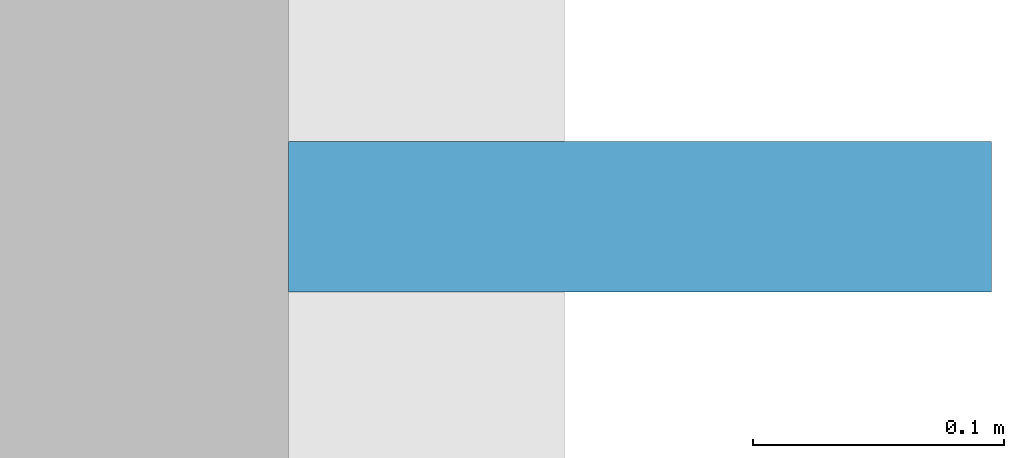
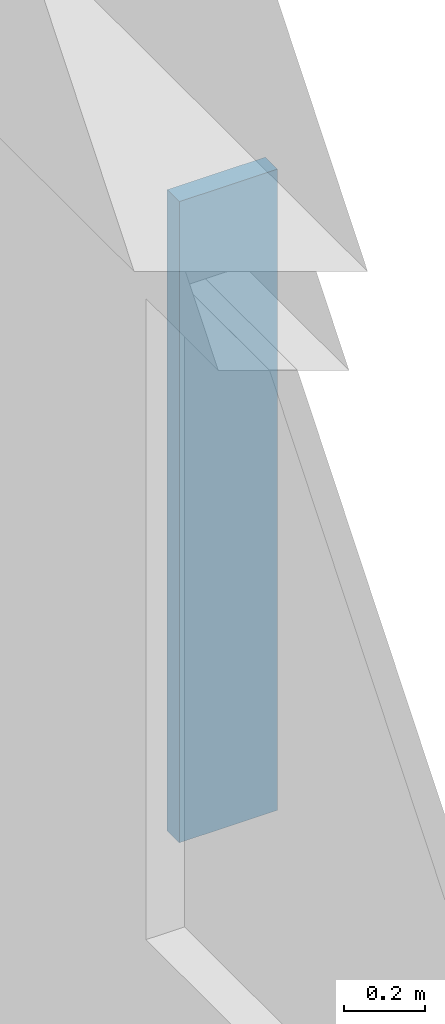
# One storey, part 6 of 11: 1 plate.
"""IFC4 building model written with IfcOpenShell, lengths in metres."""

from ifc_helpers import new_model, si_unit, direction, frame, origin, origin_2d, place, context, subcontext, project, spatial, rectangle, extrude, material, type_object, element, save


model = new_model("IFC4")

# Units and contexts
model_context = context("Model", 3, precision=1e-05, world=origin(), true_north=direction((0.0, 1.0)))
body_context = subcontext(model_context, "Body", "Model", "MODEL_VIEW")
ifc_project = project(units=[si_unit("LENGTHUNIT", "METRE"), si_unit("AREAUNIT", "SQUARE_METRE"), si_unit("VOLUMEUNIT", "CUBIC_METRE"), si_unit("PLANEANGLEUNIT", "RADIAN"), si_unit("MASSUNIT", "GRAM", prefix="KILO")], contexts=[model_context])

# Site, building, storey
site_placement = place(None, origin())
site = spatial("IfcSite", under=ifc_project, at=site_placement, CompositionType="ELEMENT")
building_placement = place(site_placement, origin())
building = spatial("IfcBuilding", under=site, at=building_placement, Name="Nhamokura Convention Tower", CompositionType="ELEMENT")
storey_placement = place(building_placement, frame((0.0, 0.0, 244.64990234375)))
storey = spatial("IfcBuildingStorey", under=building, at=storey_placement, Name="L60", CompositionType="ELEMENT", Elevation=244.64990234375)

# Plate
ifc_material = material(Name="Anodised bronze aluminium AA6063-T6", Category="aluminium")
plate_type = type_object("IfcPlateType", Name="BronzeSolarFin_2", PredefinedType="USERDEFINED", material=ifc_material)
plate_placement = place(storey_placement, frame((56.530029296875, 30.07080078125, 0.85009765625), z_axis=(0.0, 0.0, 1.0), x_axis=(1.0, 0.0, 0.0)))
element("IfcPlate", 1, at=plate_placement, inside=storey, type_object=plate_type, Name="L60 Bronze Solar Shading Fin EAST 2", ObjectType="SOLAR_FIN", PredefinedType="USERDEFINED", context=body_context, shape_type="SweptSolid", body=[
    extrude(rectangle(XDim=0.280029296875, YDim=0.06005859375, at=origin_2d()), origin(), (0.0, 0.0, 1.0), 1.93505859375),
])

save(model, "model.ifc")
